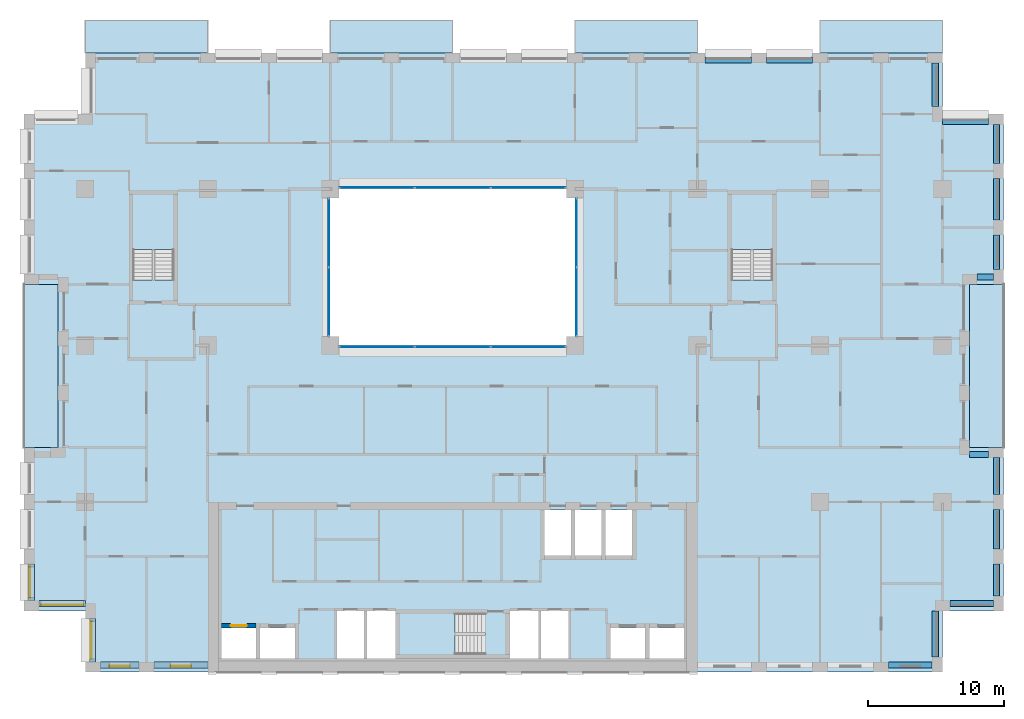
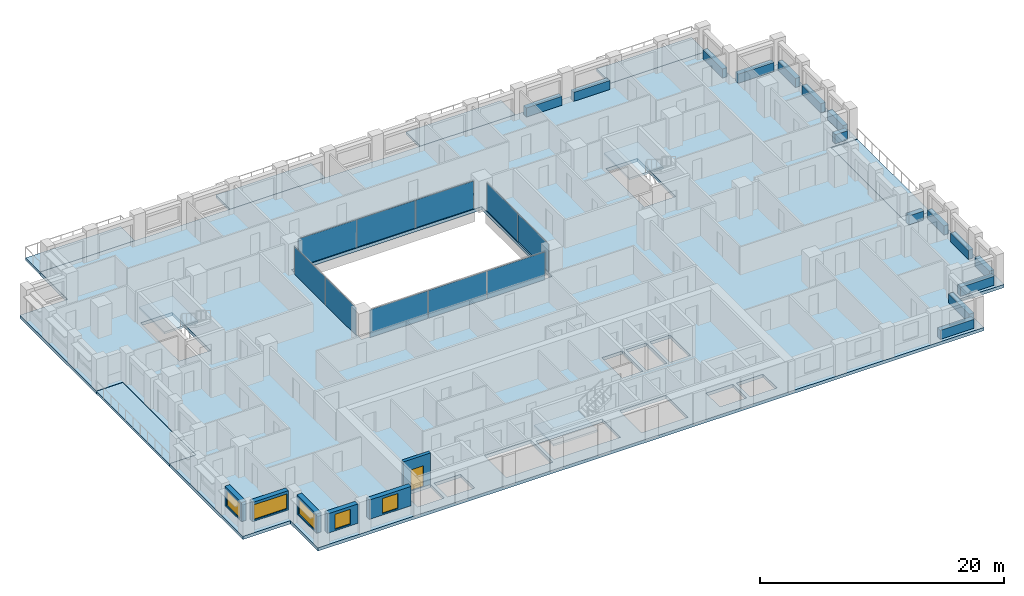
# One storey, part 7 of 16: 15 beams, 10 plates, 10 slabs, 6 walls, 5 windows, 1 door, 6 openings, 7 elements without a shape of their own.
"""IFC4 building model written with IfcOpenShell, lengths in metres."""

from ifc_helpers import new_model, si_unit, direction, frame, frame_2d, origin, origin_2d, place, context, subcontext, project, spatial, polyline, rectangle, outline, extrude, material, layer, layer_set, material_profile, profile_set, type_object, element, fill, aggregate, save


model = new_model("IFC4")

# Units and contexts
model_context = context("Model", 3, precision=1e-05, world=origin(), true_north=direction((0.0, 1.0)))
body_context = subcontext(model_context, "Body", "Model", "MODEL_VIEW")
ifc_project = project(units=[si_unit("LENGTHUNIT", "METRE"), si_unit("AREAUNIT", "SQUARE_METRE"), si_unit("VOLUMEUNIT", "CUBIC_METRE"), si_unit("PLANEANGLEUNIT", "RADIAN"), si_unit("MASSUNIT", "GRAM", prefix="KILO")], contexts=[model_context])

# Site, building, storey
site_placement = place(None, origin())
site = spatial("IfcSite", under=ifc_project, at=site_placement, CompositionType="ELEMENT")
building_placement = place(site_placement, origin())
building = spatial("IfcBuilding", under=site, at=building_placement, Name="Brigalow Station Residences", CompositionType="ELEMENT")
storey_placement = place(building_placement, frame((0.0, 0.0, 115.050048828125)))
storey = spatial("IfcBuildingStorey", under=building, at=storey_placement, Name="L33", CompositionType="ELEMENT", Elevation=115.050048828125)

# Beams
ifc_material_1 = material(Name="Concrete C65", Category="concrete")
ifc_material_profile = material_profile(ifc_material_1, rectangle(XDim=0.449951171875, YDim=0.89990234375, at=origin_2d()), Name="RC450x900")
ifc_profile_set = profile_set([ifc_material_profile], Name="Concrete C65")
beam_type = type_object("IfcBeamType", Name="SPANDREL BEAM 450x900 C65", PredefinedType="SPANDREL", material=ifc_profile_set)
beam_1_placement = place(storey_placement, frame((68.050048828125, 0.52490234375, 0.449951171875), z_axis=(1.0, 0.0, 0.0), x_axis=(0.0, 1.0, 0.0)))
element("IfcBeam", 1, at=beam_1_placement, inside=storey, type_object=beam_type, Name="L33/spandrel/W-L33-7", PredefinedType="SPANDREL", context=body_context, shape_type="SweptSolid", body=[
    extrude(rectangle(XDim=0.449951171875, YDim=0.89990234375, at=origin_2d()), origin(), (0.0, 0.0, 1.0), 3.199951171875),
])
beam_2_placement = place(storey_placement, frame((71.47509765625, 1.10009765625, 0.449951171875), z_axis=(0.0, 1.0, 0.0), x_axis=(-1.0, 0.0, 0.0)))
element("IfcBeam", 2, at=beam_2_placement, inside=storey, type_object=beam_type, Name="L33/spandrel/W-L33-8", PredefinedType="SPANDREL", context=body_context, shape_type="SweptSolid", body=[
    extrude(rectangle(XDim=0.449951171875, YDim=0.89990234375, at=origin_2d()), origin(), (0.0, 0.0, 1.0), 3.39990234375),
])
beam_3_placement = place(storey_placement, frame((72.550048828125, 5.02490234375, 0.449951171875), z_axis=(1.0, 0.0, 0.0), x_axis=(0.0, 1.0, 0.0)))
element("IfcBeam", 3, at=beam_3_placement, inside=storey, type_object=beam_type, Name="L33/spandrel/W-L33-9", PredefinedType="SPANDREL", context=body_context, shape_type="SweptSolid", body=[
    extrude(rectangle(XDim=0.449951171875, YDim=0.89990234375, at=origin_2d()), origin(), (0.0, 0.0, 1.0), 3.199951171875),
])
beam_4_placement = place(storey_placement, frame((75.97509765625, 5.60009765625, 0.449951171875), z_axis=(0.0, 1.0, 0.0), x_axis=(-1.0, 0.0, 0.0)))
element("IfcBeam", 4, at=beam_4_placement, inside=storey, type_object=beam_type, Name="L33/spandrel/W-L33-10", PredefinedType="SPANDREL", context=body_context, shape_type="SweptSolid", body=[
    extrude(rectangle(XDim=0.449951171875, YDim=0.89990234375, at=origin_2d()), origin(), (0.0, 0.0, 1.0), 2.349853515625),
])
beam_5_placement = place(storey_placement, frame((75.97509765625, 9.050048828125, 0.449951171875), z_axis=(0.0, 1.0, 0.0), x_axis=(-1.0, 0.0, 0.0)))
element("IfcBeam", 5, at=beam_5_placement, inside=storey, type_object=beam_type, Name="L33/spandrel/W-L33-11", PredefinedType="SPANDREL", context=body_context, shape_type="SweptSolid", body=[
    extrude(rectangle(XDim=0.449951171875, YDim=0.89990234375, at=origin_2d()), origin(), (0.0, 0.0, 1.0), 2.89990234375),
])
beam_6_placement = place(storey_placement, frame((75.97509765625, 13.050048828125, 0.449951171875), z_axis=(0.0, 1.0, 0.0), x_axis=(-1.0, 0.0, 0.0)))
element("IfcBeam", 6, at=beam_6_placement, inside=storey, type_object=beam_type, Name="L33/spandrel/W-L33-12", PredefinedType="SPANDREL", context=body_context, shape_type="SweptSolid", body=[
    extrude(rectangle(XDim=0.449951171875, YDim=0.89990234375, at=origin_2d()), origin(), (0.0, 0.0, 1.0), 2.699951171875),
])
beam_7_placement = place(storey_placement, frame((75.39990234375, 15.97509765625, 0.449951171875), z_axis=(-1.0, 0.0, 0.0), x_axis=(0.0, -1.0, 0.0)))
element("IfcBeam", 7, at=beam_7_placement, inside=storey, type_object=beam_type, Name="L33/spandrel/W-L33-13", PredefinedType="SPANDREL", context=body_context, shape_type="SweptSolid", body=[
    extrude(rectangle(XDim=0.449951171875, YDim=0.89990234375, at=origin_2d()), origin(), (0.0, 0.0, 1.0), 1.39990234375),
])
beam_8_placement = place(storey_placement, frame((74.550048828125, 29.02490234375, 0.449951171875), z_axis=(1.0, 0.0, 0.0), x_axis=(0.0, 1.0, 0.0)))
element("IfcBeam", 8, at=beam_8_placement, inside=storey, type_object=beam_type, Name="L33/spandrel/W-L33-17", PredefinedType="SPANDREL", context=body_context, shape_type="SweptSolid", body=[
    extrude(rectangle(XDim=0.449951171875, YDim=0.89990234375, at=origin_2d()), origin(), (0.0, 0.0, 1.0), 1.199951171875),
])
beam_9_placement = place(storey_placement, frame((75.97509765625, 29.60009765625, 0.449951171875), z_axis=(0.0, 1.0, 0.0), x_axis=(-1.0, 0.0, 0.0)))
element("IfcBeam", 9, at=beam_9_placement, inside=storey, type_object=beam_type, Name="L33/spandrel/W-L33-18", PredefinedType="SPANDREL", context=body_context, shape_type="SweptSolid", body=[
    extrude(rectangle(XDim=0.449951171875, YDim=0.89990234375, at=origin_2d()), origin(), (0.0, 0.0, 1.0), 2.516845703125),
])
beam_10_placement = place(storey_placement, frame((75.97509765625, 33.217041015625, 0.449951171875), z_axis=(0.0, 1.0, 0.0), x_axis=(-1.0, 0.0, 0.0)))
element("IfcBeam", 10, at=beam_10_placement, inside=storey, type_object=beam_type, Name="L33/spandrel/W-L33-19", PredefinedType="SPANDREL", context=body_context, shape_type="SweptSolid", body=[
    extrude(rectangle(XDim=0.449951171875, YDim=0.89990234375, at=origin_2d()), origin(), (0.0, 0.0, 1.0), 3.06591796875),
])
beam_11_placement = place(storey_placement, frame((75.97509765625, 37.383056640625, 0.449951171875), z_axis=(0.0, 1.0, 0.0), x_axis=(-1.0, 0.0, 0.0)))
element("IfcBeam", 11, at=beam_11_placement, inside=storey, type_object=beam_type, Name="L33/spandrel/W-L33-20", PredefinedType="SPANDREL", context=body_context, shape_type="SweptSolid", body=[
    extrude(rectangle(XDim=0.449951171875, YDim=0.89990234375, at=origin_2d()), origin(), (0.0, 0.0, 1.0), 2.866943359375),
])
beam_12_placement = place(storey_placement, frame((75.39990234375, 40.47509765625, 0.449951171875), z_axis=(-1.0, 0.0, 0.0), x_axis=(0.0, -1.0, 0.0)))
element("IfcBeam", 12, at=beam_12_placement, inside=storey, type_object=beam_type, Name="L33/spandrel/W-L33-21", PredefinedType="SPANDREL", context=body_context, shape_type="SweptSolid", body=[
    extrude(rectangle(XDim=0.449951171875, YDim=0.89990234375, at=origin_2d()), origin(), (0.0, 0.0, 1.0), 3.39990234375),
])
beam_13_placement = place(storey_placement, frame((71.47509765625, 41.550048828125, 0.449951171875), z_axis=(0.0, 1.0, 0.0), x_axis=(-1.0, 0.0, 0.0)))
element("IfcBeam", 13, at=beam_13_placement, inside=storey, type_object=beam_type, Name="L33/spandrel/W-L33-22", PredefinedType="SPANDREL", context=body_context, shape_type="SweptSolid", body=[
    extrude(rectangle(XDim=0.449951171875, YDim=0.89990234375, at=origin_2d()), origin(), (0.0, 0.0, 1.0), 3.199951171875),
])
for number, where, z_axis, x_axis, name in (
    (14, (62.449951171875, 44.97509765625, 0.449951171875), (-1.0, 0.0, 0.0), (0.0, -1.0, 0.0), "L33/spandrel/W-L33-25"),
    (15, (57.949951171875, 44.97509765625, 0.449951171875), (-1.0, 0.0, 0.0), (0.0, -1.0, 0.0), "L33/spandrel/W-L33-26"),
):
    element("IfcBeam", number, at=place(storey_placement, frame(where, z_axis=z_axis, x_axis=x_axis)), inside=storey, type_object=beam_type, Name=name, PredefinedType="SPANDREL", context=body_context, shape_type="SweptSolid", body=[
        extrude(rectangle(XDim=0.449951171875, YDim=0.89990234375, at=origin_2d()), origin(), (0.0, 0.0, 1.0), 3.39990234375),
    ])

# Curtain wall, plates
ifc_material_2 = material(Name="Aluminium", Category="aluminium")
ifc_layer_1 = layer(ifc_material_2, 0.14990234375)
ifc_layer_set_1 = layer_set([ifc_layer_1], Name="ATRIUM FIRE-RATED GLAZING CURTAIN WALL")
curtain_wall_type = type_object("IfcCurtainWallType", Name="ATRIUM FIRE-RATED GLAZING CURTAIN WALL", PredefinedType="NOTDEFINED", material=ifc_layer_set_1)
curtain_wall_1_placement = place(storey_placement, origin())
curtain_wall_1 = element("IfcCurtainWall", 16, at=curtain_wall_1_placement, inside=storey, type_object=curtain_wall_type, Name="L33/cw/atrium-S", PredefinedType="NOTDEFINED")
ifc_material_3 = material(Name="Fire-resisting laminated glazing, FRL -/60/-", Category="glass")
ifc_layer_2 = layer(ifc_material_3, 0.031982421875)
ifc_layer_set_2 = layer_set([ifc_layer_2], Name="ATRIUM FIRE-RATED GLAZING PANEL 32")
plate_type = type_object("IfcPlateType", Name="ATRIUM FIRE-RATED GLAZING PANEL 32", PredefinedType="CURTAIN_PANEL", material=ifc_layer_set_2)
plate_1_placement = place(storey_placement, frame((30.4482421875, 23.89990234375, 0.0), z_axis=(0.0, 0.0, 1.0), x_axis=(1.0, 0.0, 0.0)))
plate_1 = element("IfcPlate", 17, at=plate_1_placement, type_object=plate_type, Name="L33/cw/atrium-S/P00-00", PredefinedType="CURTAIN_PANEL", context=body_context, shape_type="SweptSolid", body=[
    extrude(rectangle(XDim=5.476806640625, YDim=0.031982421875, at=origin_2d()), origin(), (0.0, 0.0, 1.0), 2.77001953125),
])
plate_2_placement = place(storey_placement, frame((36.0, 23.89990234375, 0.0), z_axis=(0.0, 0.0, 1.0), x_axis=(1.0, 0.0, 0.0)))
plate_2 = element("IfcPlate", 18, at=plate_2_placement, type_object=plate_type, Name="L33/cw/atrium-S/P01-00", PredefinedType="CURTAIN_PANEL", context=body_context, shape_type="SweptSolid", body=[
    extrude(rectangle(XDim=5.506591796875, YDim=0.031982421875, at=origin_2d()), origin(), (0.0, 0.0, 1.0), 2.77001953125),
])
plate_3_placement = place(storey_placement, frame((41.5517578125, 23.89990234375, 0.0), z_axis=(0.0, 0.0, 1.0), x_axis=(1.0, 0.0, 0.0)))
plate_3 = element("IfcPlate", 19, at=plate_3_placement, type_object=plate_type, Name="L33/cw/atrium-S/P02-00", PredefinedType="CURTAIN_PANEL", context=body_context, shape_type="SweptSolid", body=[
    extrude(rectangle(XDim=5.476806640625, YDim=0.031982421875, at=origin_2d()), origin(), (0.0, 0.0, 1.0), 2.77001953125),
])
aggregate(curtain_wall_1, [plate_1, plate_2, plate_3])

curtain_wall_2_placement = place(storey_placement, origin())
curtain_wall_2 = element("IfcCurtainWall", 20, at=curtain_wall_2_placement, inside=storey, type_object=curtain_wall_type, Name="L33/cw/atrium-E", PredefinedType="NOTDEFINED")
plate_4_placement = place(storey_placement, frame((45.10009765625, 27.215087890625, 0.0), z_axis=(0.0, 0.0, 1.0), x_axis=(0.0, 1.0, 0.0)))
plate_4 = element("IfcPlate", 21, at=plate_4_placement, type_object=plate_type, Name="L33/cw/atrium-E/P00-00", PredefinedType="CURTAIN_PANEL", context=body_context, shape_type="SweptSolid", body=[
    extrude(rectangle(XDim=5.010009765625, YDim=0.031982421875, at=origin_2d()), origin(), (0.0, 0.0, 1.0), 2.77001953125),
])
plate_5_placement = place(storey_placement, frame((45.10009765625, 32.284912109375, 0.0), z_axis=(0.0, 0.0, 1.0), x_axis=(0.0, 1.0, 0.0)))
plate_5 = element("IfcPlate", 22, at=plate_5_placement, type_object=plate_type, Name="L33/cw/atrium-E/P01-00", PredefinedType="CURTAIN_PANEL", context=body_context, shape_type="SweptSolid", body=[
    extrude(rectangle(XDim=5.010009765625, YDim=0.031982421875, at=origin_2d()), origin(), (0.0, 0.0, 1.0), 2.77001953125),
])
aggregate(curtain_wall_2, [plate_4, plate_5])

curtain_wall_3_placement = place(storey_placement, origin())
curtain_wall_3 = element("IfcCurtainWall", 23, at=curtain_wall_3_placement, inside=storey, type_object=curtain_wall_type, Name="L33/cw/atrium-N", PredefinedType="NOTDEFINED")
plate_6_placement = place(storey_placement, frame((41.5517578125, 35.60009765625, 0.0), z_axis=(0.0, 0.0, 1.0), x_axis=(-1.0, 0.0, 0.0)))
plate_6 = element("IfcPlate", 24, at=plate_6_placement, type_object=plate_type, Name="L33/cw/atrium-N/P00-00", PredefinedType="CURTAIN_PANEL", context=body_context, shape_type="SweptSolid", body=[
    extrude(rectangle(XDim=5.476806640625, YDim=0.031982421875, at=origin_2d()), origin(), (0.0, 0.0, 1.0), 2.77001953125),
])
plate_7_placement = place(storey_placement, frame((36.0, 35.60009765625, 0.0), z_axis=(0.0, 0.0, 1.0), x_axis=(-1.0, 0.0, 0.0)))
plate_7 = element("IfcPlate", 25, at=plate_7_placement, type_object=plate_type, Name="L33/cw/atrium-N/P01-00", PredefinedType="CURTAIN_PANEL", context=body_context, shape_type="SweptSolid", body=[
    extrude(rectangle(XDim=5.506591796875, YDim=0.031982421875, at=origin_2d()), origin(), (0.0, 0.0, 1.0), 2.77001953125),
])
plate_8_placement = place(storey_placement, frame((30.4482421875, 35.60009765625, 0.0), z_axis=(0.0, 0.0, 1.0), x_axis=(-1.0, 0.0, 0.0)))
plate_8 = element("IfcPlate", 26, at=plate_8_placement, type_object=plate_type, Name="L33/cw/atrium-N/P02-00", PredefinedType="CURTAIN_PANEL", context=body_context, shape_type="SweptSolid", body=[
    extrude(rectangle(XDim=5.476806640625, YDim=0.031982421875, at=origin_2d()), origin(), (0.0, 0.0, 1.0), 2.77001953125),
])
aggregate(curtain_wall_3, [plate_6, plate_7, plate_8])

curtain_wall_4_placement = place(storey_placement, origin())
curtain_wall_4 = element("IfcCurtainWall", 27, at=curtain_wall_4_placement, inside=storey, type_object=curtain_wall_type, Name="L33/cw/atrium-W", PredefinedType="NOTDEFINED")
plate_9_placement = place(storey_placement, frame((26.89990234375, 32.284912109375, 0.0), z_axis=(0.0, 0.0, 1.0), x_axis=(0.0, -1.0, 0.0)))
plate_9 = element("IfcPlate", 28, at=plate_9_placement, type_object=plate_type, Name="L33/cw/atrium-W/P00-00", PredefinedType="CURTAIN_PANEL", context=body_context, shape_type="SweptSolid", body=[
    extrude(rectangle(XDim=5.010009765625, YDim=0.031982421875, at=origin_2d()), origin(), (0.0, 0.0, 1.0), 2.77001953125),
])
plate_10_placement = place(storey_placement, frame((26.89990234375, 27.215087890625, 0.0), z_axis=(0.0, 0.0, 1.0), x_axis=(0.0, -1.0, 0.0)))
plate_10 = element("IfcPlate", 29, at=plate_10_placement, type_object=plate_type, Name="L33/cw/atrium-W/P01-00", PredefinedType="CURTAIN_PANEL", context=body_context, shape_type="SweptSolid", body=[
    extrude(rectangle(XDim=5.010009765625, YDim=0.031982421875, at=origin_2d()), origin(), (0.0, 0.0, 1.0), 2.77001953125),
])
aggregate(curtain_wall_4, [plate_9, plate_10])

# Slabs
ifc_material_4 = material(Name="Concrete C50 precast", Category="concrete")
ifc_layer_3 = layer(ifc_material_4, 0.25)
ifc_layer_set_3 = layer_set([ifc_layer_3], Name="BALCONY SLAB 250")
slab_type_1 = type_object("IfcSlabType", Name="BALCONY SLAB 250", PredefinedType="USERDEFINED", material=ifc_layer_set_3)
slab_1_placement = place(storey_placement, frame((0.0, 0.0, -0.2900390625)))
element("IfcSlab", 30, at=slab_1_placement, inside=storey, type_object=slab_type_1, Name="L33/balcony/1", ObjectType="BALCONY", PredefinedType="USERDEFINED", context=body_context, shape_type="SweptSolid", body=[
    extrude(outline(polyline([(74.0, 16.5), (76.5, 16.5), (76.5, 28.5), (74.0, 28.5), (74.0, 16.5)])), origin(), (0.0, 0.0, 1.0), 0.25),
])
slab_2_placement = place(storey_placement, frame((0.0, 0.0, -0.2900390625)))
element("IfcSlab", 31, at=slab_2_placement, inside=storey, type_object=slab_type_1, Name="L33/balcony/2", ObjectType="BALCONY", PredefinedType="USERDEFINED", context=body_context, shape_type="SweptSolid", body=[
    extrude(outline(polyline([(72.0, 45.5), (72.0, 47.89990234375), (63.0, 47.89990234375), (63.0, 45.5), (72.0, 45.5)])), origin(), (0.0, 0.0, 1.0), 0.25),
])
slab_3_placement = place(storey_placement, frame((0.0, 0.0, -0.2900390625)))
element("IfcSlab", 32, at=slab_3_placement, inside=storey, type_object=slab_type_1, Name="L33/balcony/3", ObjectType="BALCONY", PredefinedType="USERDEFINED", context=body_context, shape_type="SweptSolid", body=[
    extrude(outline(polyline([(54.0, 45.5), (54.0, 47.89990234375), (45.0, 47.89990234375), (45.0, 45.5), (54.0, 45.5)])), origin(), (0.0, 0.0, 1.0), 0.25),
])
slab_4_placement = place(storey_placement, frame((0.0, 0.0, -0.2900390625)))
element("IfcSlab", 33, at=slab_4_placement, inside=storey, type_object=slab_type_1, Name="L33/balcony/4", ObjectType="BALCONY", PredefinedType="USERDEFINED", context=body_context, shape_type="SweptSolid", body=[
    extrude(outline(polyline([(36.0, 45.5), (36.0, 47.89990234375), (27.0, 47.89990234375), (27.0, 45.5), (36.0, 45.5)])), origin(), (0.0, 0.0, 1.0), 0.25),
])
slab_5_placement = place(storey_placement, frame((0.0, 0.0, -0.2900390625)))
element("IfcSlab", 34, at=slab_5_placement, inside=storey, type_object=slab_type_1, Name="L33/balcony/5", ObjectType="BALCONY", PredefinedType="USERDEFINED", context=body_context, shape_type="SweptSolid", body=[
    extrude(outline(polyline([(18.0, 45.5), (18.0, 47.89990234375), (9.0, 47.89990234375), (9.0, 45.5), (18.0, 45.5)])), origin(), (0.0, 0.0, 1.0), 0.25),
])
slab_6_placement = place(storey_placement, frame((0.0, 0.0, -0.2900390625)))
element("IfcSlab", 35, at=slab_6_placement, inside=storey, type_object=slab_type_1, Name="L33/balcony/6", ObjectType="BALCONY", PredefinedType="USERDEFINED", context=body_context, shape_type="SweptSolid", body=[
    extrude(outline(polyline([(7.0, 28.5), (4.5, 28.5), (4.5, 16.5), (7.0, 16.5), (7.0, 28.5)])), origin(), (0.0, 0.0, 1.0), 0.25),
])
ifc_material_5 = material(Name="Concrete C50", Category="concrete")
ifc_layer_4 = layer(ifc_material_5, 0.320068359375)
ifc_layer_set_4 = layer_set([ifc_layer_4], Name="POST-TENSIONED FLAT PLATE 320 C50")
slab_type_2 = type_object("IfcSlabType", Name="POST-TENSIONED FLAT PLATE 320 C50", PredefinedType="FLOOR", material=ifc_layer_set_4)
slab_7_placement = place(storey_placement, frame((0.0, 0.0, -0.320068359375)))
element("IfcSlab", 36, at=slab_7_placement, inside=storey, type_object=slab_type_2, Name="FLOOR SLAB L33", PredefinedType="FLOOR", context=body_context, shape_type="SweptSolid", body=[
    extrude(outline(polyline([(9.0, 0.0), (72.0, 0.0), (72.0, 4.5), (76.5, 4.5), (76.5, 16.5), (74.0, 16.5), (74.0, 28.5), (76.5, 28.5), (76.5, 41.0), (72.0, 41.0), (72.0, 45.5), (9.0, 45.5), (9.0, 41.0), (4.5, 41.0), (4.5, 28.5), (7.0, 28.5), (7.0, 16.5), (4.5, 16.5), (4.5, 4.5), (9.0, 4.5), (9.0, 0.0)]), holes=[polyline([(12.5048828125, 35.094970703125), (15.4951171875, 35.094970703125), (15.4951171875, 28.804931640625), (12.5048828125, 28.804931640625), (12.5048828125, 35.094970703125)]), polyline([(19.0, 1.0), (19.0, 3.25), (21.550048828125, 3.25), (21.550048828125, 1.0), (19.0, 1.0)]), polyline([(21.85009765625, 3.25), (24.39990234375, 3.25), (24.39990234375, 1.0), (21.85009765625, 1.0), (21.85009765625, 3.25)]), polyline([(27.0, 35.5), (45.0, 35.5), (45.0, 24.0), (27.0, 24.0), (27.0, 35.5)]), polyline([(29.60009765625, 4.60009765625), (31.800048828125, 4.60009765625), (31.800048828125, 1.0), (29.60009765625, 1.0), (27.39990234375, 1.0), (27.39990234375, 4.60009765625), (29.60009765625, 4.60009765625)]), polyline([(32.10498046875, 4.294921875), (38.39501953125, 4.294921875), (38.39501953125, 1.304931640625), (32.10498046875, 1.304931640625), (32.10498046875, 4.294921875)]), polyline([(40.199951171875, 4.60009765625), (42.39990234375, 4.60009765625), (44.60009765625, 4.60009765625), (44.60009765625, 1.0), (42.39990234375, 1.0), (40.199951171875, 1.0), (40.199951171875, 4.60009765625)]), polyline([(42.75, 11.89990234375), (44.699951171875, 11.89990234375), (44.699951171875, 8.550048828125), (42.75, 8.550048828125), (42.75, 11.89990234375)]), polyline([(45.0, 11.89990234375), (46.949951171875, 11.89990234375), (46.949951171875, 8.550048828125), (45.0, 8.550048828125), (45.0, 11.89990234375)]), polyline([(47.25, 11.89990234375), (49.199951171875, 11.89990234375), (49.199951171875, 8.550048828125), (47.25, 8.550048828125), (47.25, 11.89990234375)]), polyline([(47.60009765625, 3.25), (50.14990234375, 3.25), (50.14990234375, 1.0), (47.60009765625, 1.0), (47.60009765625, 3.25)]), polyline([(50.449951171875, 3.25), (53.0, 3.25), (53.0, 1.0), (50.449951171875, 1.0), (50.449951171875, 3.25)]), polyline([(56.5048828125, 35.094970703125), (59.4951171875, 35.094970703125), (59.4951171875, 28.804931640625), (56.5048828125, 28.804931640625), (56.5048828125, 35.094970703125)])]), origin(), (0.0, 0.0, 1.0), 0.320068359375),
])

# Stair, slab
ifc_material_6 = material(Name="Concrete C50", Category="concrete")
stair_type = type_object("IfcStairType", Name="EXIT STAIR 1400 2 FLIGHT", PredefinedType="HALF_TURN_STAIR", material=ifc_material_6)
stair_1_placement = place(storey_placement, origin())
stair_1 = element("IfcStair", 37, at=stair_1_placement, inside=storey, type_object=stair_type, Name="EXIT STAIR S2 L33", PredefinedType="HALF_TURN_STAIR")
ifc_material_7 = material(Name="Concrete C50", Category="concrete")
ifc_layer_5 = layer(ifc_material_7, 0.199951171875)
ifc_layer_set_5 = layer_set([ifc_layer_5], Name="STAIR LANDING 200")
slab_type_3 = type_object("IfcSlabType", Name="STAIR LANDING 200", PredefinedType="LANDING", material=ifc_layer_set_5)
slab_8_placement = place(storey_placement, frame((0.0, 0.0, 1.375)))
slab_8 = element("IfcSlab", 38, at=slab_8_placement, type_object=slab_type_3, Name="ST-2 landing 1", PredefinedType="LANDING", context=body_context, shape_type="SweptSolid", body=[
    extrude(outline(polyline([(32.0, 1.199951171875), (36.159912109375, 1.199951171875), (36.159912109375, 4.39990234375), (32.0, 4.39990234375), (32.0, 1.199951171875)])), origin(), (0.0, 0.0, 1.0), 0.199951171875),
])
aggregate(stair_1, [slab_8])

stair_2_placement = place(storey_placement, origin())
stair_2 = element("IfcStair", 39, at=stair_2_placement, inside=storey, type_object=stair_type, Name="EXIT STAIR S1 L33", PredefinedType="HALF_TURN_STAIR")
slab_9_placement = place(storey_placement, frame((0.0, 0.0, 1.375)))
slab_9 = element("IfcSlab", 40, at=slab_9_placement, type_object=slab_type_3, Name="ST-1 landing 1", PredefinedType="LANDING", context=body_context, shape_type="SweptSolid", body=[
    extrude(outline(polyline([(12.39990234375, 31.0400390625), (15.60009765625, 31.0400390625), (15.60009765625, 35.199951171875), (12.39990234375, 35.199951171875), (12.39990234375, 31.0400390625)])), origin(), (0.0, 0.0, 1.0), 0.199951171875),
])
aggregate(stair_2, [slab_9])

stair_3_placement = place(storey_placement, origin())
stair_3 = element("IfcStair", 41, at=stair_3_placement, inside=storey, type_object=stair_type, Name="EXIT STAIR S3 L33", PredefinedType="HALF_TURN_STAIR")
slab_10_placement = place(storey_placement, frame((0.0, 0.0, 1.375)))
slab_10 = element("IfcSlab", 42, at=slab_10_placement, type_object=slab_type_3, Name="ST-3 landing 1", PredefinedType="LANDING", context=body_context, shape_type="SweptSolid", body=[
    extrude(outline(polyline([(56.39990234375, 31.0400390625), (59.60009765625, 31.0400390625), (59.60009765625, 35.199951171875), (56.39990234375, 35.199951171875), (56.39990234375, 31.0400390625)])), origin(), (0.0, 0.0, 1.0), 0.199951171875),
])
aggregate(stair_3, [slab_10])

# Wall, opening, window
ifc_material_8 = material(Name="Clay brick masonry", Category="masonry")
ifc_layer_6 = layer(ifc_material_8, 0.449951171875)
ifc_layer_set_6 = layer_set([ifc_layer_6], Name="BRICK INFILL WALL 450")
wall_type_1 = type_object("IfcWallType", Name="BRICK INFILL WALL 450", PredefinedType="SOLIDWALL", material=ifc_layer_set_6)
wall_1_placement = place(storey_placement, frame((10.10009765625, 0.52490234375, 0.89990234375), z_axis=(0.0, 0.0, 1.0), x_axis=(1.0, 0.0, 0.0)))
wall_1 = element("IfcWall", 43, at=wall_1_placement, inside=storey, type_object=wall_type_1, Name="L33/ewall/W-L33-1", PredefinedType="SOLIDWALL", context=body_context, shape_type="SweptSolid", body=[
    extrude(rectangle(XDim=2.849853515625, YDim=0.449951171875, at=frame_2d((1.4248046875, 0.0))), origin(), (0.0, 0.0, 1.0), 1.929931640625),
])
opening_1_placement = place(wall_1_placement, frame((0.675048828125, 0.0, 0.14990234375)))
opening_1 = element("IfcOpeningElement", 44, at=opening_1_placement, cuts=wall_1, Name="Opening WT-1", PredefinedType="OPENING", context=body_context, shape_type="SweptSolid", body=[
    extrude(rectangle(XDim=1.5, YDim=1.5, at=frame_2d((0.75, 0.75))), frame((0.0, 0.23486328125, 0.0), z_axis=(0.0, -1.0, 0.0), x_axis=(1.0, 0.0, 0.0)), (0.0, 0.0, 1.0), 0.469970703125),
])
ifc_material_9 = material(Name="Anodised aluminium frame with double glazing", Category="aluminium")
window_type_1 = type_object("IfcWindowType", Name="WINDOW 1500x1500", PartitioningType="SINGLE_PANEL", PredefinedType="WINDOW", material=ifc_material_9)
window_1_placement = place(opening_1_placement, origin())
window_1 = element("IfcWindow", 45, at=window_1_placement, inside=storey, type_object=window_type_1, Name="L33/window/W-L33-1", OverallHeight=1.5, OverallWidth=1.5, PartitioningType="SINGLE_PANEL", PredefinedType="WINDOW", context=body_context, shape_type="SweptSolid", body=[
    extrude(rectangle(XDim=1.5, YDim=1.5, at=frame_2d((0.75, 0.75))), frame((0.0, -0.06494140625, 0.0), z_axis=(0.0, -1.0, 0.0), x_axis=(1.0, 0.0, 0.0)), (0.0, 0.0, 1.0), 0.06005859375),
])
fill(opening_1, window_1)

wall_2_placement = place(storey_placement, frame((14.050048828125, 0.52490234375, 0.89990234375), z_axis=(0.0, 0.0, 1.0), x_axis=(1.0, 0.0, 0.0)))
wall_2 = element("IfcWall", 46, at=wall_2_placement, inside=storey, type_object=wall_type_1, Name="L33/ewall/W-L33-2", PredefinedType="SOLIDWALL", context=body_context, shape_type="SweptSolid", body=[
    extrude(rectangle(XDim=3.949951171875, YDim=0.449951171875, at=frame_2d((1.97509765625, 0.0))), origin(), (0.0, 0.0, 1.0), 1.929931640625),
])
opening_2_placement = place(wall_2_placement, frame((1.22509765625, 0.0, 0.14990234375)))
opening_2 = element("IfcOpeningElement", 47, at=opening_2_placement, cuts=wall_2, Name="Opening WT-1", PredefinedType="OPENING", context=body_context, shape_type="SweptSolid", body=[
    extrude(rectangle(XDim=1.5, YDim=1.5, at=frame_2d((0.75, 0.75))), frame((0.0, 0.23486328125, 0.0), z_axis=(0.0, -1.0, 0.0), x_axis=(1.0, 0.0, 0.0)), (0.0, 0.0, 1.0), 0.469970703125),
])
window_2_placement = place(opening_2_placement, origin())
window_2 = element("IfcWindow", 48, at=window_2_placement, inside=storey, type_object=window_type_1, Name="L33/window/W-L33-2", OverallHeight=1.5, OverallWidth=1.5, PartitioningType="SINGLE_PANEL", PredefinedType="WINDOW", context=body_context, shape_type="SweptSolid", body=[
    extrude(rectangle(XDim=1.5, YDim=1.5, at=frame_2d((0.75, 0.75))), frame((0.0, -0.06494140625, 0.0), z_axis=(0.0, -1.0, 0.0), x_axis=(1.0, 0.0, 0.0)), (0.0, 0.0, 1.0), 0.06005859375),
])
fill(opening_2, window_2)

wall_3_placement = place(storey_placement, frame((5.02490234375, 7.949951171875, 0.89990234375), z_axis=(0.0, 0.0, 1.0), x_axis=(0.0, -1.0, 0.0)))
wall_3 = element("IfcWall", 49, at=wall_3_placement, inside=storey, type_object=wall_type_1, Name="L33/ewall/W-L33-49", PredefinedType="SOLIDWALL", context=body_context, shape_type="SweptSolid", body=[
    extrude(rectangle(XDim=2.699951171875, YDim=0.449951171875, at=frame_2d((1.35009765625, 0.0))), origin(), (0.0, 0.0, 1.0), 1.929931640625),
])
opening_3_placement = place(wall_3_placement, frame((0.22509765625, 0.0, 0.14990234375)))
opening_3 = element("IfcOpeningElement", 50, at=opening_3_placement, cuts=wall_3, Name="Opening WT-6", PredefinedType="OPENING", context=body_context, shape_type="SweptSolid", body=[
    extrude(rectangle(XDim=2.25, YDim=1.5, at=frame_2d((1.125, 0.75))), frame((0.0, 0.23486328125, 0.0), z_axis=(0.0, -1.0, 0.0), x_axis=(1.0, 0.0, 0.0)), (0.0, 0.0, 1.0), 0.469970703125),
])
ifc_material_10 = material(Name="Anodised aluminium frame with double glazing", Category="aluminium")
window_type_2 = type_object("IfcWindowType", Name="WINDOW 2250x1500", PartitioningType="SINGLE_PANEL", PredefinedType="WINDOW", material=ifc_material_10)
window_3_placement = place(opening_3_placement, origin())
window_3 = element("IfcWindow", 51, at=window_3_placement, inside=storey, type_object=window_type_2, Name="L33/window/W-L33-49", OverallHeight=1.5, OverallWidth=2.25, PartitioningType="SINGLE_PANEL", PredefinedType="WINDOW", context=body_context, shape_type="SweptSolid", body=[
    extrude(rectangle(XDim=2.25, YDim=1.5, at=frame_2d((1.125, 0.75))), frame((0.0, -0.06494140625, 0.0), z_axis=(0.0, -1.0, 0.0), x_axis=(1.0, 0.0, 0.0)), (0.0, 0.0, 1.0), 0.06005859375),
])
fill(opening_3, window_3)

wall_4_placement = place(storey_placement, frame((5.60009765625, 5.02490234375, 0.89990234375), z_axis=(0.0, 0.0, 1.0), x_axis=(1.0, 0.0, 0.0)))
wall_4 = element("IfcWall", 52, at=wall_4_placement, inside=storey, type_object=wall_type_1, Name="L33/ewall/W-L33-50", PredefinedType="SOLIDWALL", context=body_context, shape_type="SweptSolid", body=[
    extrude(rectangle(XDim=3.39990234375, YDim=0.449951171875, at=frame_2d((1.699951171875, 0.0))), origin(), (0.0, 0.0, 1.0), 1.929931640625),
])
opening_4_placement = place(wall_4_placement, frame((0.14990234375, 0.0, 0.14990234375)))
opening_4 = element("IfcOpeningElement", 53, at=opening_4_placement, cuts=wall_4, Name="Opening WT-8", PredefinedType="OPENING", context=body_context, shape_type="SweptSolid", body=[
    extrude(rectangle(XDim=3.10009765625, YDim=1.5, at=frame_2d((1.550048828125, 0.75))), frame((0.0, 0.23486328125, 0.0), z_axis=(0.0, -1.0, 0.0), x_axis=(1.0, 0.0, 0.0)), (0.0, 0.0, 1.0), 0.469970703125),
])
ifc_material_11 = material(Name="Anodised aluminium frame with double glazing", Category="aluminium")
window_type_3 = type_object("IfcWindowType", Name="WINDOW 3100x1500", PartitioningType="SINGLE_PANEL", PredefinedType="WINDOW", material=ifc_material_11)
window_4_placement = place(opening_4_placement, origin())
window_4 = element("IfcWindow", 54, at=window_4_placement, inside=storey, type_object=window_type_3, Name="L33/window/W-L33-50", OverallHeight=1.5, OverallWidth=3.10009765625, PartitioningType="SINGLE_PANEL", PredefinedType="WINDOW", context=body_context, shape_type="SweptSolid", body=[
    extrude(rectangle(XDim=3.10009765625, YDim=1.5, at=frame_2d((1.550048828125, 0.75))), frame((0.0, -0.06494140625, 0.0), z_axis=(0.0, -1.0, 0.0), x_axis=(1.0, 0.0, 0.0)), (0.0, 0.0, 1.0), 0.06005859375),
])
fill(opening_4, window_4)

wall_5_placement = place(storey_placement, frame((9.52490234375, 3.949951171875, 0.89990234375), z_axis=(0.0, 0.0, 1.0), x_axis=(0.0, -1.0, 0.0)))
wall_5 = element("IfcWall", 55, at=wall_5_placement, inside=storey, type_object=wall_type_1, Name="L33/ewall/W-L33-51", PredefinedType="SOLIDWALL", context=body_context, shape_type="SweptSolid", body=[
    extrude(rectangle(XDim=3.199951171875, YDim=0.449951171875, at=frame_2d((1.60009765625, 0.0))), origin(), (0.0, 0.0, 1.0), 1.929931640625),
])
opening_5_placement = place(wall_5_placement, frame((0.22509765625, 0.0, 0.14990234375)))
opening_5 = element("IfcOpeningElement", 56, at=opening_5_placement, cuts=wall_5, Name="Opening WT-3", PredefinedType="OPENING", context=body_context, shape_type="SweptSolid", body=[
    extrude(rectangle(XDim=2.75, YDim=1.5, at=frame_2d((1.375, 0.75))), frame((0.0, 0.23486328125, 0.0), z_axis=(0.0, -1.0, 0.0), x_axis=(1.0, 0.0, 0.0)), (0.0, 0.0, 1.0), 0.469970703125),
])
ifc_material_12 = material(Name="Anodised aluminium frame with double glazing", Category="aluminium")
window_type_4 = type_object("IfcWindowType", Name="WINDOW 2750x1500", PartitioningType="SINGLE_PANEL", PredefinedType="WINDOW", material=ifc_material_12)
window_5_placement = place(opening_5_placement, origin())
window_5 = element("IfcWindow", 57, at=window_5_placement, inside=storey, type_object=window_type_4, Name="L33/window/W-L33-51", OverallHeight=1.5, OverallWidth=2.75, PartitioningType="SINGLE_PANEL", PredefinedType="WINDOW", context=body_context, shape_type="SweptSolid", body=[
    extrude(rectangle(XDim=2.75, YDim=1.5, at=frame_2d((1.375, 0.75))), frame((0.0, -0.06494140625, 0.0), z_axis=(0.0, -1.0, 0.0), x_axis=(1.0, 0.0, 0.0)), (0.0, 0.0, 1.0), 0.06005859375),
])
fill(opening_5, window_5)

# Wall, opening, door
ifc_material_13 = material(Name="Concrete C65", Category="concrete")
ifc_layer_7 = layer(ifc_material_13, 0.300048828125)
ifc_layer_set_7 = layer_set([ifc_layer_7], Name="CORE SHEAR WALL 300 C65")
wall_type_2 = type_object("IfcWallType", Name="CORE SHEAR WALL 300 C65", PredefinedType="SHEAR", material=ifc_layer_set_7)
wall_6_placement = place(storey_placement, frame((19.0, 3.39990234375, 0.0), z_axis=(0.0, 0.0, 1.0), x_axis=(1.0, 0.0, 0.0)))
wall_6 = element("IfcWall", 58, at=wall_6_placement, inside=storey, type_object=wall_type_2, Name="CORE WALL SH-C1-N L33", PredefinedType="SHEAR", context=body_context, shape_type="SweptSolid", body=[
    extrude(rectangle(XDim=2.550048828125, YDim=0.300048828125, at=frame_2d((1.27490234375, 0.0))), origin(), (0.0, 0.0, 1.0), 3.14990234375),
])
opening_6_placement = place(wall_6_placement, frame((0.675048828125, 0.0, 0.0)))
opening_6 = element("IfcOpeningElement", 59, at=opening_6_placement, cuts=wall_6, Name="Opening LD-LB1", PredefinedType="OPENING", context=body_context, shape_type="SweptSolid", body=[
    extrude(rectangle(XDim=1.199951171875, YDim=2.10009765625, at=frame_2d((0.60009765625, 1.050048828125))), frame((0.0, 0.16015625, 0.0), z_axis=(0.0, -1.0, 0.0), x_axis=(1.0, 0.0, 0.0)), (0.0, 0.0, 1.0), 0.320068359375),
])
ifc_material_14 = material(Name="Stainless steel sliding door leaves", Category="steel")
door_type = type_object("IfcDoorType", Name="LIFT LANDING DOOR 1200 x 2100", OperationType="DOUBLE_DOOR_SLIDING", PredefinedType="DOOR", material=ifc_material_14)
door_placement = place(opening_6_placement, origin())
door = element("IfcDoor", 60, at=door_placement, inside=storey, type_object=door_type, Name="LANDING DOOR LB1", OperationType="DOUBLE_DOOR_SLIDING", OverallHeight=2.10009765625, OverallWidth=1.199951171875, PredefinedType="DOOR", context=body_context, shape_type="SweptSolid", body=[
    extrude(rectangle(XDim=1.199951171875, YDim=2.10009765625, at=frame_2d((0.60009765625, 1.050048828125))), frame((0.0, 0.02490234375, 0.0), z_axis=(0.0, -1.0, 0.0), x_axis=(1.0, 0.0, 0.0)), (0.0, 0.0, 1.0), 0.050048828125),
])
fill(opening_6, door)

save(model, "model.ifc")
